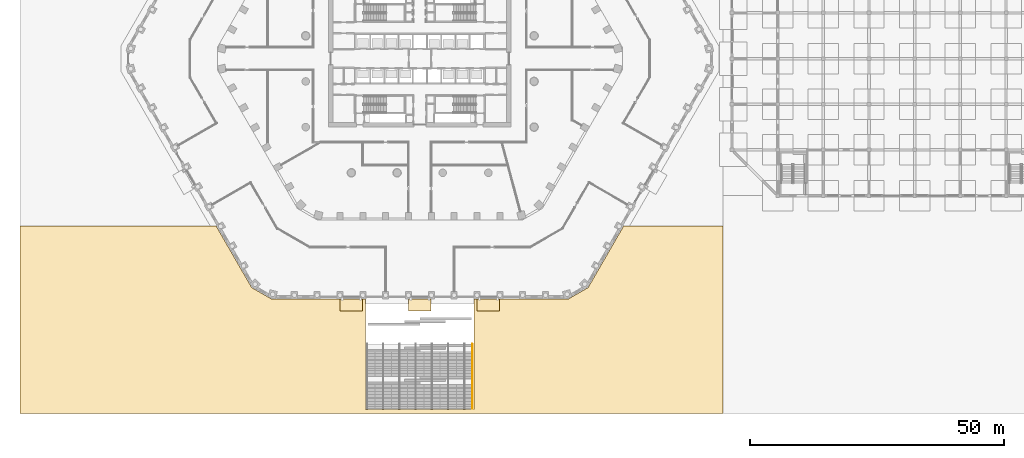
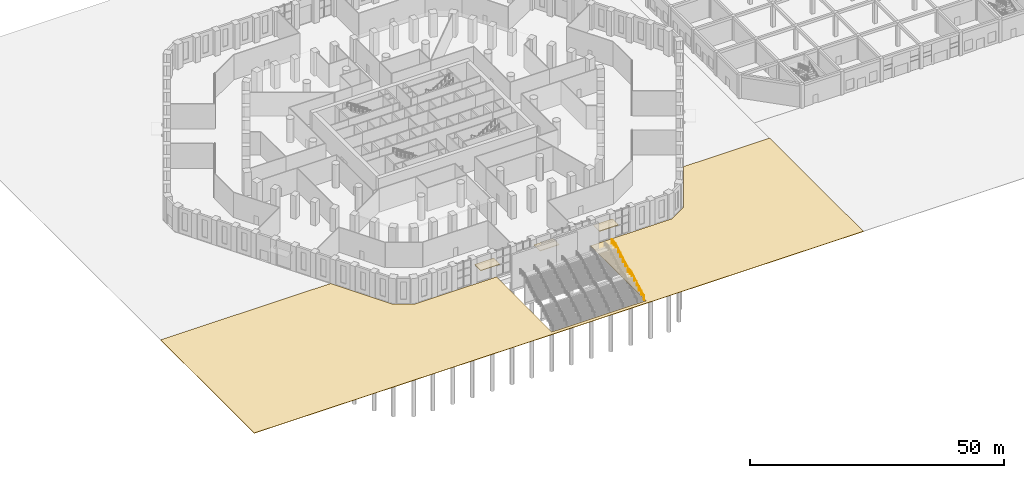
# One storey, part 33 of 44: 4 coverings, 1 railing.
"""IFC4 building model written with IfcOpenShell, lengths in metres."""

import ifcopenshell
import ifcopenshell.guid

model = None  # the IFC model being written
_history = None  # IfcOwnerHistory: only IFC2X3 demands one
_inside = {}  # id of a spatial element -> (the spatial element, [elements in it])
_under = {}  # id of a project, library or spatial element -> (it, [spatial elements below it])
_declared = {}  # id of a project -> (the project, [libraries it declares])
_typed = {}  # id of a type object -> (the type object, [elements of that type])
_made_of = {}  # id of a material, layer set ... -> (it, [elements and type objects made of it])


def new_model(schema):
    """Start an empty IFC model of exactly this schema.

    Asked for "IFC4X3", IfcOpenShell would pick the latest addendum, in which some entities
    have other attributes; the version numbers below select the first issue.
    IFC2X3 requires an IfcOwnerHistory on every rooted entity: one is made here for all.
    """
    global model, _history
    if schema == "IFC4X3":
        model = ifcopenshell.file(schema_version=(4, 3, 0, 0))
    else:
        model = ifcopenshell.file(schema=schema)
    _inside.clear()
    _under.clear()
    _declared.clear()
    _typed.clear()
    _made_of.clear()
    _history = None
    if model.schema == "IFC2X3":
        org = make("IfcOrganization", Name="unknown")
        user = make(
            "IfcPersonAndOrganization",
            ThePerson=make("IfcPerson", FamilyName="unknown"),
            TheOrganization=org,
        )
        app = make(
            "IfcApplication",
            ApplicationDeveloper=org,
            Version="unknown",
            ApplicationFullName="unknown",
            ApplicationIdentifier="unknown",
        )
        _history = make(
            "IfcOwnerHistory",
            OwningUser=user,
            OwningApplication=app,
            ChangeAction="ADDED",
            CreationDate=0,
        )
    return model


def make(cls, **values):
    """One entity of the class cls with the attributes given. An attribute that is None is left unset."""
    return model.create_entity(
        cls, **{name: value for name, value in values.items() if value is not None}
    )


def rooted(cls, **values):
    """An entity with a GlobalId (a new one), such as an element, a storey or a relation."""
    return make(cls, GlobalId=ifcopenshell.guid.new(), OwnerHistory=_history, **values)


def si_unit(unit_type, name, prefix=None):
    """IfcSIUnit, for example si_unit("LENGTHUNIT", "METRE", prefix="MILLI")."""
    return make("IfcSIUnit", UnitType=unit_type, Prefix=prefix, Name=name)


def assignment(units):
    """IfcUnitAssignment: the units of a project."""
    return None if units is None else make("IfcUnitAssignment", Units=units)


def point(xyz):
    """IfcCartesianPoint."""
    return None if xyz is None else make("IfcCartesianPoint", Coordinates=xyz)


def direction(xyz):
    """IfcDirection."""
    return None if xyz is None else make("IfcDirection", DirectionRatios=xyz)


def frame(location, z_axis=None, x_axis=None):
    """IfcAxis2Placement3D, a coordinate frame: its origin and axes. An axis left out is left unset."""
    return make(
        "IfcAxis2Placement3D",
        Location=point(location),
        Axis=direction(z_axis),
        RefDirection=direction(x_axis),
    )


def frame_2d(location, x_axis=None):
    """IfcAxis2Placement2D, a coordinate frame in the plane: its origin and x axis."""
    return make(
        "IfcAxis2Placement2D", Location=point(location), RefDirection=direction(x_axis)
    )


def origin():
    """The frame at (0, 0, 0) with its axes left unset."""
    return frame((0.0, 0.0, 0.0))


def origin_2d():
    """The frame at (0, 0) in the plane with its x axis left unset."""
    return frame_2d((0.0, 0.0))


def place(relative_to, where):
    """IfcLocalPlacement: puts the frame where relative to a parent placement (None: the world)."""
    return make(
        "IfcLocalPlacement", PlacementRelTo=relative_to, RelativePlacement=where
    )


def context(
    kind, dimensions, precision=None, world=None, true_north=None, identifier=None
):
    """IfcGeometricRepresentationContext, for example the 3D "Model" context."""
    return make(
        "IfcGeometricRepresentationContext",
        ContextIdentifier=identifier,
        ContextType=kind,
        CoordinateSpaceDimension=dimensions,
        Precision=precision,
        WorldCoordinateSystem=world,
        TrueNorth=true_north,
    )


def subcontext(parent, identifier, kind, view, scale=None):
    """IfcGeometricRepresentationSubContext, for example "Body" below "Model"."""
    return make(
        "IfcGeometricRepresentationSubContext",
        ContextIdentifier=identifier,
        ContextType=kind,
        ParentContext=parent,
        TargetScale=scale,
        TargetView=view,
    )


def project(units=None, contexts=None):
    """IfcProject with its units and contexts."""
    return rooted(
        "IfcProject",
        Name="project",
        RepresentationContexts=contexts,
        UnitsInContext=assignment(units),
    )


def spatial(cls, under=None, at=None, **own):
    """A site, building, storey or space (cls), placed at a placement, below another one or the project."""
    s = rooted(cls, ObjectPlacement=at, **own)
    if under is not None:
        _under.setdefault(under.id(), (under, []))[1].append(s)
    return s


def polyline(points):
    """IfcPolyline through the points."""
    return make("IfcPolyline", Points=[point(p) for p in points])


def profile(cls, at=None, kind="AREA", **sizes):
    """A parametric profile (cls). Its sizes go by their IFC names, for example OverallWidth=200.0."""
    return make(cls, ProfileType=kind, Position=at, **sizes)


def rectangle(**sizes):
    """IfcRectangleProfileDef."""
    return profile("IfcRectangleProfileDef", **sizes)


def circle(**sizes):
    """IfcCircleProfileDef."""
    return profile("IfcCircleProfileDef", **sizes)


def outline(outer, holes=None, kind="AREA"):
    """IfcArbitraryClosedProfileDef: a profile drawn as a closed curve; with holes, ...WithVoids."""
    if holes is None:
        return make("IfcArbitraryClosedProfileDef", ProfileType=kind, OuterCurve=outer)
    return make(
        "IfcArbitraryProfileDefWithVoids",
        ProfileType=kind,
        OuterCurve=outer,
        InnerCurves=holes,
    )


def extrude(swept, where, along, depth):
    """IfcExtrudedAreaSolid: the profile swept, set in the frame where, extruded along a direction by depth."""
    return make(
        "IfcExtrudedAreaSolid",
        SweptArea=swept,
        Position=where,
        ExtrudedDirection=direction(along),
        Depth=depth,
    )


def shape(context_of_items, identifier, shape_type, items):
    """IfcShapeRepresentation: the items that make up one representation, for example the "Body"."""
    return make(
        "IfcShapeRepresentation",
        ContextOfItems=context_of_items,
        RepresentationIdentifier=identifier,
        RepresentationType=shape_type,
        Items=items,
    )


def material(Name=None, Category=None):
    """IfcMaterial."""
    return make("IfcMaterial", Name=Name, Category=Category)


def layer(
    of_material, thickness, ventilated=None, Name=None, Category=None, Priority=None
):
    """IfcMaterialLayer: one layer of a wall or slab, of a material (None: an air gap)."""
    return make(
        "IfcMaterialLayer",
        Material=of_material,
        LayerThickness=thickness,
        IsVentilated=ventilated,
        Name=Name,
        Category=Category,
        Priority=Priority,
    )


def layer_set(layers, Name=None):
    """IfcMaterialLayerSet."""
    return make("IfcMaterialLayerSet", MaterialLayers=layers, LayerSetName=Name)


def made_of(thing, what):
    """Note that an element or type object is made of a material, layer set ...; save() writes the relation."""
    if what is not None:
        _made_of.setdefault(what.id(), (what, []))[1].append(thing)
    return thing


def type_object(cls, material=None, **own):
    """A type object (cls), such as IfcWallType, which elements share."""
    return made_of(rooted(cls, **own), material)


def element(
    cls,
    number,
    at=None,
    inside=None,
    cuts=None,
    type_object=None,
    material=None,
    context=None,
    identifier="Body",
    shape_type=None,
    held_by="IfcProductDefinitionShape",
    body=None,
    shapes=None,
    **own,
):
    """One element of the class cls, such as IfcWall. Its Tag is "e" and its number.

    at: its placement. inside: the storey or other place that contains it. cuts: it is an
    opening in that element (IfcRelVoidsElement). A single representation is given by context,
    identifier, shape_type and body (its items); several are given by shapes. held_by: the class
    of the entity that holds the representations. save() writes the other relations.
    """
    e = rooted(cls, Tag="e%d" % number, ObjectPlacement=at, **own)
    if body is not None:
        shapes = [shape(context, identifier, shape_type, body)]
    if shapes is not None:
        e.Representation = make(held_by, Representations=shapes)
    if inside is not None:
        _inside.setdefault(inside.id(), (inside, []))[1].append(e)
    if cuts is not None:
        rooted(
            "IfcRelVoidsElement", RelatingBuildingElement=cuts, RelatedOpeningElement=e
        )
    if type_object is not None:
        _typed.setdefault(type_object.id(), (type_object, []))[1].append(e)
    return made_of(e, material)


def aggregate(whole, parts):
    """IfcRelAggregates: a whole, such as a stair, and the parts it consists of."""
    return rooted("IfcRelAggregates", RelatingObject=whole, RelatedObjects=parts)


def save(model, path):
    """Write the relations noted so far, then the file.

    IfcRelAggregates (storeys below a building ...), IfcRelContainedInSpatialStructure (elements
    in a storey), IfcRelDefinesByType, IfcRelAssociatesMaterial and IfcRelDeclares: one each for
    every whole, place, type object, material and project.
    """
    for whole, parts in _under.values():
        aggregate(whole, parts)
    for where, things in _inside.values():
        rooted(
            "IfcRelContainedInSpatialStructure",
            RelatedElements=things,
            RelatingStructure=where,
        )
    for kind, things in _typed.values():
        rooted("IfcRelDefinesByType", RelatedObjects=things, RelatingType=kind)
    for what, things in _made_of.values():
        rooted("IfcRelAssociatesMaterial", RelatedObjects=things, RelatingMaterial=what)
    for by, libraries in _declared.values():
        rooted("IfcRelDeclares", RelatingContext=by, RelatedDefinitions=libraries)
    model.write(path)


model = new_model("IFC4")

# Units and contexts
model_context = context("Model", 3, precision=1e-05, world=origin(), true_north=direction((0.0, 1.0)))
body_context = subcontext(model_context, "Body", "Model", "MODEL_VIEW")
ifc_project = project(units=[si_unit("LENGTHUNIT", "METRE"), si_unit("AREAUNIT", "SQUARE_METRE"), si_unit("VOLUMEUNIT", "CUBIC_METRE"), si_unit("PLANEANGLEUNIT", "RADIAN"), si_unit("MASSUNIT", "GRAM", prefix="KILO")], contexts=[model_context])

# Site, building, storey
site_placement = place(None, origin())
site = spatial("IfcSite", under=ifc_project, at=site_placement, CompositionType="ELEMENT")
building_placement = place(site_placement, origin())
building = spatial("IfcBuilding", under=site, at=building_placement, Name="Dhurran Vertical Campus", CompositionType="ELEMENT")
storey_placement = place(building_placement, origin())
storey = spatial("IfcBuildingStorey", under=building, at=storey_placement, Name="L00", CompositionType="ELEMENT", Elevation=0.0)

# Coverings
ifc_material_1 = material(Name="Precast concrete C50/60", Category="concrete")
ifc_layer_1 = layer(ifc_material_1, 0.14990234375)
ifc_layer_set_1 = layer_set([ifc_layer_1], Name="Precast concrete C50/60")
covering_type_1 = type_object("IfcCoveringType", Name="Entrance canopy precast 150", PredefinedType="USERDEFINED", material=ifc_layer_set_1)
for number, where, z_axis, x_axis, name in (
    (1, (-13.5, -48.568359375, 4.60009765625), (0.0, 0.0, 1.0), (1.0, 0.0, 0.0), "CN1 D001 entrance canopy"),
    (2, (0.0, -48.568359375, 4.60009765625), (0.0, 0.0, 1.0), (1.0, 0.0, 0.0), "CN1 D002 entrance canopy"),
    (3, (13.5, -48.568359375, 4.60009765625), (0.0, 0.0, 1.0), (1.0, 0.0, 0.0), "CN1 D003 entrance canopy"),
):
    element("IfcCovering", number, at=place(storey_placement, frame(where, z_axis=z_axis, x_axis=x_axis)), inside=storey, type_object=covering_type_1, Name=name, ObjectType="CANOPY", PredefinedType="USERDEFINED", context=body_context, shape_type="SweptSolid", body=[
        extrude(rectangle(XDim=4.39990234375, YDim=2.39990234375, at=origin_2d()), origin(), (0.0, 0.0, 1.0), 0.14990234375),
    ])
ifc_material_2 = material(Name="Concrete C35/45", Category="concrete")
ifc_layer_2 = layer(ifc_material_2, 0.10009765625)
ifc_layer_set_2 = layer_set([ifc_layer_2], Name="Concrete C35/45")
covering_type_2 = type_object("IfcCoveringType", Name="st-ground paving 100", PredefinedType="USERDEFINED", material=ifc_layer_set_2)
covering_placement = place(storey_placement, frame((0.0, 0.0, -0.10009765625)))
element("IfcCovering", 4, at=covering_placement, inside=storey, type_object=covering_type_2, Name="South forecourt paving A1", ObjectType="PAVING", PredefinedType="USERDEFINED", context=body_context, shape_type="SweptSolid", body=[
    extrude(outline(polyline([(59.699951171875, -69.949951171875), (59.699951171875, -33.0), (40.1435546875, -33.0), (33.147216796875, -45.1181640625), (29.25, -47.3681640625), (10.699951171875, -47.3681640625), (10.699951171875, -69.168212890625), (-10.699951171875, -69.168212890625), (-10.699951171875, -47.3681640625), (-29.25, -47.3681640625), (-33.147216796875, -45.1181640625), (-40.1435546875, -33.0), (-78.800048828125, -33.0), (-78.800048828125, -69.949951171875), (59.699951171875, -69.949951171875)])), origin(), (0.0, 0.0, 1.0), 0.10009765625),
])

# Railing
ifc_material_3 = material(Name="Steel S355J2H", Category="steel")
railing_type = type_object("IfcRailingType", Name="st-guard 1100", PredefinedType="GUARDRAIL", material=ifc_material_3)
railing_placement = place(storey_placement, frame((10.35009765625, -68.96826171875, 0.166748046875)))
element("IfcRailing", 5, at=railing_placement, inside=storey, type_object=railing_type, Name="Broad stair DS1 guard E", PredefinedType="GUARDRAIL", context=body_context, shape_type="SweptSolid", body=[
    extrude(circle(Radius=0.02392578125, at=origin_2d()), frame((0.0, 0.0, 1.076171875), z_axis=(0.0, 0.859299802514, 0.511472237174), x_axis=(-1.0, 0.0, 0.0)), (0.0, 0.0, 1.0), 5.539306640625),
    extrude(circle(Radius=0.02392578125, at=origin_2d()), frame((0.0, 4.760009765625, 3.9091796875), z_axis=(0.0, 1.0, 0.0), x_axis=(-1.0, 0.0, 0.0)), (0.0, 0.0, 1.0), 1.599853515625),
    extrude(circle(Radius=0.02392578125, at=origin_2d()), frame((0.0, 6.35986328125, 3.9091796875), z_axis=(0.0, 0.0, 1.0), x_axis=(1.0, 0.0, 0.0)), (0.0, 0.0, 1.0), 0.166748046875),
    extrude(circle(Radius=0.02392578125, at=origin_2d()), frame((0.0, 6.35986328125, 4.076171875), z_axis=(0.0, 0.859299802514, 0.511472237174), x_axis=(-1.0, 0.0, 0.0)), (0.0, 0.0, 1.0), 5.539306640625),
    extrude(circle(Radius=0.02392578125, at=origin_2d()), frame((0.0, 11.119873046875, 6.9091796875), z_axis=(0.0, 1.0, 0.0), x_axis=(-1.0, 0.0, 0.0)), (0.0, 0.0, 1.0), 1.60009765625),
    extrude(circle(Radius=0.02099609375, at=origin_2d()), origin(), (0.0, 0.0, 1.0), 1.052001953125),
    extrude(circle(Radius=0.02099609375, at=origin_2d()), frame((0.0, 0.951904296875, 0.566650390625)), (0.0, 0.0, 1.0), 1.052001953125),
    extrude(circle(Radius=0.02099609375, at=origin_2d()), frame((0.0, 1.904052734375, 1.13330078125)), (0.0, 0.0, 1.0), 1.052001953125),
    extrude(circle(Radius=0.02099609375, at=origin_2d()), frame((0.0, 2.85595703125, 1.699951171875)), (0.0, 0.0, 1.0), 1.052001953125),
    extrude(circle(Radius=0.02099609375, at=origin_2d()), frame((0.0, 3.80810546875, 2.2666015625)), (0.0, 0.0, 1.0), 1.052001953125),
    extrude(circle(Radius=0.02099609375, at=origin_2d()), frame((0.0, 4.760009765625, 2.833251953125)), (0.0, 0.0, 1.0), 1.052001953125),
    extrude(circle(Radius=0.02099609375, at=origin_2d()), frame((0.0, 5.56005859375, 2.833251953125)), (0.0, 0.0, 1.0), 1.052001953125),
    extrude(circle(Radius=0.02099609375, at=origin_2d()), frame((0.0, 6.35986328125, 2.833251953125)), (0.0, 0.0, 1.0), 1.052001953125),
    extrude(circle(Radius=0.02099609375, at=origin_2d()), frame((0.0, 6.35986328125, 3.0)), (0.0, 0.0, 1.0), 1.052001953125),
    extrude(circle(Radius=0.02099609375, at=origin_2d()), frame((0.0, 7.311767578125, 3.566650390625)), (0.0, 0.0, 1.0), 1.052001953125),
    extrude(circle(Radius=0.02099609375, at=origin_2d()), frame((0.0, 8.263916015625, 4.13330078125)), (0.0, 0.0, 1.0), 1.052001953125),
    extrude(circle(Radius=0.02099609375, at=origin_2d()), frame((0.0, 9.2158203125, 4.699951171875)), (0.0, 0.0, 1.0), 1.052001953125),
    extrude(circle(Radius=0.02099609375, at=origin_2d()), frame((0.0, 10.16796875, 5.2666015625)), (0.0, 0.0, 1.0), 1.052001953125),
    extrude(circle(Radius=0.02099609375, at=origin_2d()), frame((0.0, 11.119873046875, 5.833251953125)), (0.0, 0.0, 1.0), 1.052001953125),
    extrude(circle(Radius=0.02099609375, at=origin_2d()), frame((0.0, 11.919921875, 5.833251953125)), (0.0, 0.0, 1.0), 1.052001953125),
    extrude(circle(Radius=0.02099609375, at=origin_2d()), frame((0.0, 12.719970703125, 5.833251953125)), (0.0, 0.0, 1.0), 1.052001953125),
])

save(model, "model.ifc")
